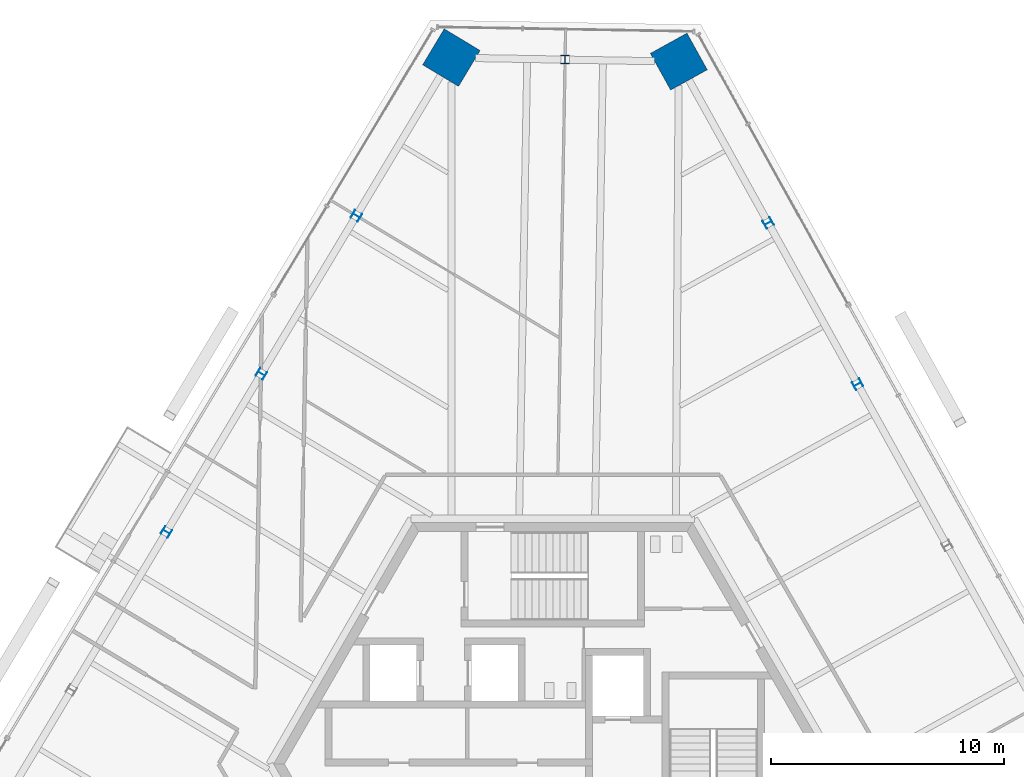
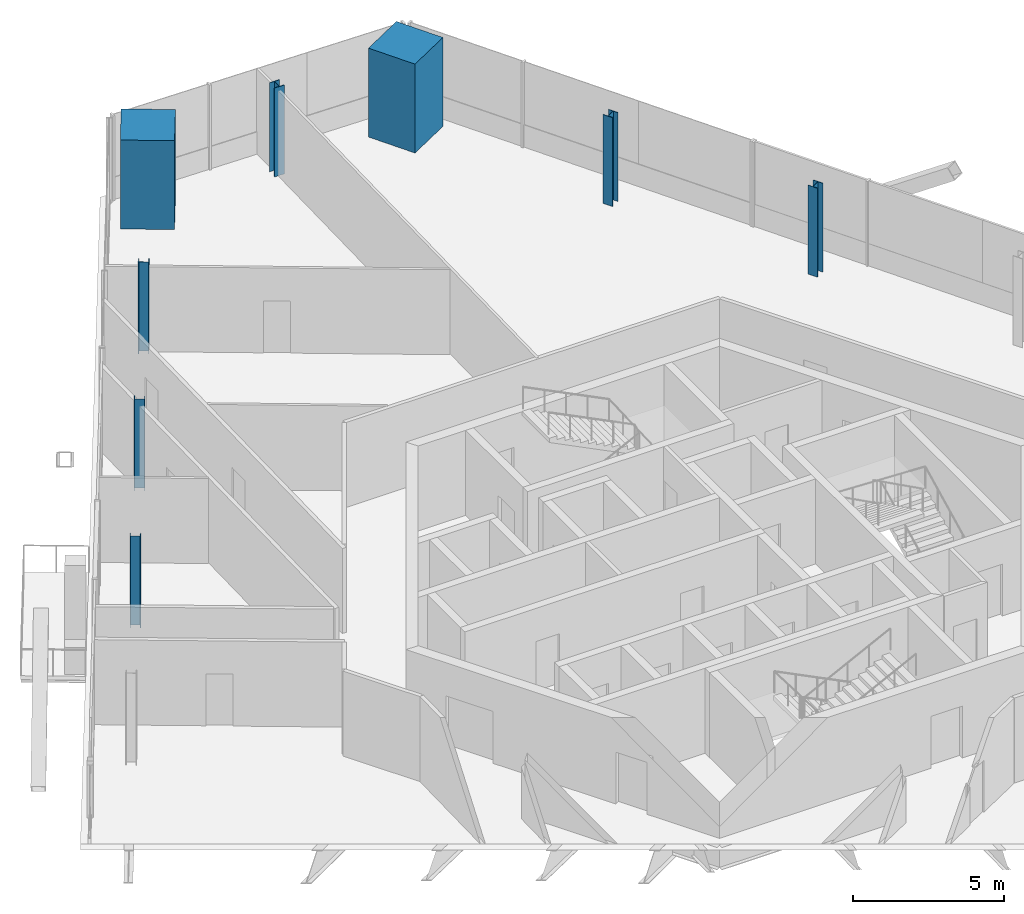
# One storey, part 3 of 18: 8 columns.
"""IFC4 building model written with IfcOpenShell, lengths in metres."""

import ifcopenshell
import ifcopenshell.guid

model = None  # the IFC model being written
_history = None  # IfcOwnerHistory: only IFC2X3 demands one
_inside = {}  # id of a spatial element -> (the spatial element, [elements in it])
_under = {}  # id of a project, library or spatial element -> (it, [spatial elements below it])
_declared = {}  # id of a project -> (the project, [libraries it declares])
_typed = {}  # id of a type object -> (the type object, [elements of that type])
_made_of = {}  # id of a material, layer set ... -> (it, [elements and type objects made of it])


def new_model(schema):
    """Start an empty IFC model of exactly this schema.

    Asked for "IFC4X3", IfcOpenShell would pick the latest addendum, in which some entities
    have other attributes; the version numbers below select the first issue.
    IFC2X3 requires an IfcOwnerHistory on every rooted entity: one is made here for all.
    """
    global model, _history
    if schema == "IFC4X3":
        model = ifcopenshell.file(schema_version=(4, 3, 0, 0))
    else:
        model = ifcopenshell.file(schema=schema)
    _inside.clear()
    _under.clear()
    _declared.clear()
    _typed.clear()
    _made_of.clear()
    _history = None
    if model.schema == "IFC2X3":
        org = make("IfcOrganization", Name="unknown")
        user = make(
            "IfcPersonAndOrganization",
            ThePerson=make("IfcPerson", FamilyName="unknown"),
            TheOrganization=org,
        )
        app = make(
            "IfcApplication",
            ApplicationDeveloper=org,
            Version="unknown",
            ApplicationFullName="unknown",
            ApplicationIdentifier="unknown",
        )
        _history = make(
            "IfcOwnerHistory",
            OwningUser=user,
            OwningApplication=app,
            ChangeAction="ADDED",
            CreationDate=0,
        )
    return model


def make(cls, **values):
    """One entity of the class cls with the attributes given. An attribute that is None is left unset."""
    return model.create_entity(
        cls, **{name: value for name, value in values.items() if value is not None}
    )


def rooted(cls, **values):
    """An entity with a GlobalId (a new one), such as an element, a storey or a relation."""
    return make(cls, GlobalId=ifcopenshell.guid.new(), OwnerHistory=_history, **values)


def si_unit(unit_type, name, prefix=None):
    """IfcSIUnit, for example si_unit("LENGTHUNIT", "METRE", prefix="MILLI")."""
    return make("IfcSIUnit", UnitType=unit_type, Prefix=prefix, Name=name)


def assignment(units):
    """IfcUnitAssignment: the units of a project."""
    return None if units is None else make("IfcUnitAssignment", Units=units)


def point(xyz):
    """IfcCartesianPoint."""
    return None if xyz is None else make("IfcCartesianPoint", Coordinates=xyz)


def direction(xyz):
    """IfcDirection."""
    return None if xyz is None else make("IfcDirection", DirectionRatios=xyz)


def frame(location, z_axis=None, x_axis=None):
    """IfcAxis2Placement3D, a coordinate frame: its origin and axes. An axis left out is left unset."""
    return make(
        "IfcAxis2Placement3D",
        Location=point(location),
        Axis=direction(z_axis),
        RefDirection=direction(x_axis),
    )


def frame_2d(location, x_axis=None):
    """IfcAxis2Placement2D, a coordinate frame in the plane: its origin and x axis."""
    return make(
        "IfcAxis2Placement2D", Location=point(location), RefDirection=direction(x_axis)
    )


def origin():
    """The frame at (0, 0, 0) with its axes left unset."""
    return frame((0.0, 0.0, 0.0))


def origin_2d():
    """The frame at (0, 0) in the plane with its x axis left unset."""
    return frame_2d((0.0, 0.0))


def place(relative_to, where):
    """IfcLocalPlacement: puts the frame where relative to a parent placement (None: the world)."""
    return make(
        "IfcLocalPlacement", PlacementRelTo=relative_to, RelativePlacement=where
    )


def context(
    kind, dimensions, precision=None, world=None, true_north=None, identifier=None
):
    """IfcGeometricRepresentationContext, for example the 3D "Model" context."""
    return make(
        "IfcGeometricRepresentationContext",
        ContextIdentifier=identifier,
        ContextType=kind,
        CoordinateSpaceDimension=dimensions,
        Precision=precision,
        WorldCoordinateSystem=world,
        TrueNorth=true_north,
    )


def subcontext(parent, identifier, kind, view, scale=None):
    """IfcGeometricRepresentationSubContext, for example "Body" below "Model"."""
    return make(
        "IfcGeometricRepresentationSubContext",
        ContextIdentifier=identifier,
        ContextType=kind,
        ParentContext=parent,
        TargetScale=scale,
        TargetView=view,
    )


def project(units=None, contexts=None):
    """IfcProject with its units and contexts."""
    return rooted(
        "IfcProject",
        Name="project",
        RepresentationContexts=contexts,
        UnitsInContext=assignment(units),
    )


def spatial(cls, under=None, at=None, **own):
    """A site, building, storey or space (cls), placed at a placement, below another one or the project."""
    s = rooted(cls, ObjectPlacement=at, **own)
    if under is not None:
        _under.setdefault(under.id(), (under, []))[1].append(s)
    return s


def profile(cls, at=None, kind="AREA", **sizes):
    """A parametric profile (cls). Its sizes go by their IFC names, for example OverallWidth=200.0."""
    return make(cls, ProfileType=kind, Position=at, **sizes)


def rectangle(**sizes):
    """IfcRectangleProfileDef."""
    return profile("IfcRectangleProfileDef", **sizes)


def i_section(**sizes):
    """IfcIShapeProfileDef."""
    return profile("IfcIShapeProfileDef", **sizes)


def extrude(swept, where, along, depth):
    """IfcExtrudedAreaSolid: the profile swept, set in the frame where, extruded along a direction by depth."""
    return make(
        "IfcExtrudedAreaSolid",
        SweptArea=swept,
        Position=where,
        ExtrudedDirection=direction(along),
        Depth=depth,
    )


def shape(context_of_items, identifier, shape_type, items):
    """IfcShapeRepresentation: the items that make up one representation, for example the "Body"."""
    return make(
        "IfcShapeRepresentation",
        ContextOfItems=context_of_items,
        RepresentationIdentifier=identifier,
        RepresentationType=shape_type,
        Items=items,
    )


def source(mapping_origin, context_of_items, identifier, shape_type, items):
    """IfcRepresentationMap: a shape defined once, which mapped items show again and again."""
    return make(
        "IfcRepresentationMap",
        MappingOrigin=mapping_origin,
        MappedRepresentation=shape(context_of_items, identifier, shape_type, items),
    )


def transform(
    local_origin,
    x_axis=None,
    y_axis=None,
    z_axis=None,
    scale=None,
    scale2=None,
    scale3=None,
    uniform=True,
):
    """IfcCartesianTransformationOperator3D, or its non-uniform kind. x_axis, y_axis, z_axis: its Axis1, 2, 3."""
    if uniform:
        return make(
            "IfcCartesianTransformationOperator3D",
            Axis1=direction(x_axis),
            Axis2=direction(y_axis),
            LocalOrigin=point(local_origin),
            Scale=scale,
            Axis3=direction(z_axis),
        )
    return make(
        "IfcCartesianTransformationOperator3DnonUniform",
        Axis1=direction(x_axis),
        Axis2=direction(y_axis),
        LocalOrigin=point(local_origin),
        Scale=scale,
        Axis3=direction(z_axis),
        Scale2=scale2,
        Scale3=scale3,
    )


def mapped(mapping_source, mapping_target):
    """IfcMappedItem: shows the shape of a source again, moved by a transform."""
    return make(
        "IfcMappedItem", MappingSource=mapping_source, MappingTarget=mapping_target
    )


def material(Name=None, Category=None):
    """IfcMaterial."""
    return make("IfcMaterial", Name=Name, Category=Category)


def material_profile(
    of_material, cross_section, Name=None, Category=None, Priority=None
):
    """IfcMaterialProfile: a cross section and its material."""
    return make(
        "IfcMaterialProfile",
        Name=Name,
        Material=of_material,
        Profile=cross_section,
        Priority=Priority,
        Category=Category,
    )


def profile_set(profiles, Name=None, composite=None):
    """IfcMaterialProfileSet."""
    return make(
        "IfcMaterialProfileSet",
        Name=Name,
        MaterialProfiles=profiles,
        CompositeProfile=composite,
    )


def made_of(thing, what):
    """Note that an element or type object is made of a material, layer set ...; save() writes the relation."""
    if what is not None:
        _made_of.setdefault(what.id(), (what, []))[1].append(thing)
    return thing


def type_object(cls, material=None, **own):
    """A type object (cls), such as IfcWallType, which elements share."""
    return made_of(rooted(cls, **own), material)


def element(
    cls,
    number,
    at=None,
    inside=None,
    cuts=None,
    type_object=None,
    material=None,
    context=None,
    identifier="Body",
    shape_type=None,
    held_by="IfcProductDefinitionShape",
    body=None,
    shapes=None,
    **own,
):
    """One element of the class cls, such as IfcWall. Its Tag is "e" and its number.

    at: its placement. inside: the storey or other place that contains it. cuts: it is an
    opening in that element (IfcRelVoidsElement). A single representation is given by context,
    identifier, shape_type and body (its items); several are given by shapes. held_by: the class
    of the entity that holds the representations. save() writes the other relations.
    """
    e = rooted(cls, Tag="e%d" % number, ObjectPlacement=at, **own)
    if body is not None:
        shapes = [shape(context, identifier, shape_type, body)]
    if shapes is not None:
        e.Representation = make(held_by, Representations=shapes)
    if inside is not None:
        _inside.setdefault(inside.id(), (inside, []))[1].append(e)
    if cuts is not None:
        rooted(
            "IfcRelVoidsElement", RelatingBuildingElement=cuts, RelatedOpeningElement=e
        )
    if type_object is not None:
        _typed.setdefault(type_object.id(), (type_object, []))[1].append(e)
    return made_of(e, material)


def aggregate(whole, parts):
    """IfcRelAggregates: a whole, such as a stair, and the parts it consists of."""
    return rooted("IfcRelAggregates", RelatingObject=whole, RelatedObjects=parts)


def save(model, path):
    """Write the relations noted so far, then the file.

    IfcRelAggregates (storeys below a building ...), IfcRelContainedInSpatialStructure (elements
    in a storey), IfcRelDefinesByType, IfcRelAssociatesMaterial and IfcRelDeclares: one each for
    every whole, place, type object, material and project.
    """
    for whole, parts in _under.values():
        aggregate(whole, parts)
    for where, things in _inside.values():
        rooted(
            "IfcRelContainedInSpatialStructure",
            RelatedElements=things,
            RelatingStructure=where,
        )
    for kind, things in _typed.values():
        rooted("IfcRelDefinesByType", RelatedObjects=things, RelatingType=kind)
    for what, things in _made_of.values():
        rooted("IfcRelAssociatesMaterial", RelatedObjects=things, RelatingMaterial=what)
    for by, libraries in _declared.values():
        rooted("IfcRelDeclares", RelatingContext=by, RelatedDefinitions=libraries)
    model.write(path)


model = new_model("IFC4")

# Units and contexts
model_context = context("Model", 3, precision=1e-05, world=origin(), true_north=direction((0.0, 1.0)))
body_context = subcontext(model_context, "Body", "Model", "MODEL_VIEW")
ifc_project = project(units=[si_unit("LENGTHUNIT", "METRE"), si_unit("AREAUNIT", "SQUARE_METRE"), si_unit("VOLUMEUNIT", "CUBIC_METRE"), si_unit("PLANEANGLEUNIT", "RADIAN"), si_unit("MASSUNIT", "GRAM", prefix="KILO")], contexts=[model_context])

# Site, building, storey
site_placement = place(None, origin())
site = spatial("IfcSite", under=ifc_project, at=site_placement, CompositionType="ELEMENT")
building_placement = place(site_placement, origin())
building = spatial("IfcBuilding", under=site, at=building_placement, Name="Triune Harvest Tower", CompositionType="ELEMENT")
storey_placement = place(building_placement, frame((0.0, 0.0, 190.699951171875)))
storey = spatial("IfcBuildingStorey", under=building, at=storey_placement, Name="L49", CompositionType="ELEMENT", Elevation=190.699951171875)

# Columns
ifc_material_1 = material(Name="Concrete 70 MPa", Category="concrete")
ifc_material_profile_1 = material_profile(ifc_material_1, rectangle(XDim=1.800048828125, YDim=1.800048828125, at=origin_2d()), Name="Composite 1800x1800")
ifc_profile_set_1 = profile_set([ifc_material_profile_1], Name="Concrete 70 MPa")
column_type_1 = type_object("IfcColumnType", Name="MC-5 Mega column Composite 1800x1800", PredefinedType="COLUMN", material=ifc_profile_set_1)
shared_shape_1 = source(origin(), body_context, "Body", "SweptSolid", [
    extrude(rectangle(XDim=1.800048828125, YDim=1.800048828125, at=origin_2d()), origin(), (0.0, 0.0, 1.0), 3.60009765625),
])
for number, where, z_axis, x_axis, name in (
    (1, (5.416015625, 30.193115234375, 0.0), (0.0, 0.0, 1.0), (-0.484809620246, 0.874619707139, 0.0), "col/L49/M6"),
    (2, (-4.359130859375, 30.36376953125, 0.0), (0.0, 0.0, 1.0), (-0.51503657887, -0.857168199612, 0.0), "col/L49/M8"),
):
    element("IfcColumn", number, at=place(storey_placement, frame(where, z_axis=z_axis, x_axis=x_axis)), inside=storey, type_object=column_type_1, Name=name, PredefinedType="COLUMN", context=body_context, shape_type="MappedRepresentation", body=[
        mapped(shared_shape_1, transform((0.0, 0.0, 0.0), scale=1.0)),
    ])
ifc_material_2 = material(Name="Steel ASTM A992 Gr 50", Category="steel")
ifc_material_profile_2 = material_profile(ifc_material_2, i_section(OverallWidth=0.370849609375, OverallDepth=0.36328125, WebThickness=0.013427734375, FlangeThickness=0.021728515625, at=origin_2d()), Name="W14x109")
ifc_profile_set_2 = profile_set([ifc_material_profile_2], Name="Steel ASTM A992 Gr 50")
column_type_2 = type_object("IfcColumnType", Name="PC-5 Perimeter column W14x109", PredefinedType="COLUMN", material=ifc_profile_set_2)
shared_shape_2 = source(origin(), body_context, "Body", "SweptSolid", [
    extrude(i_section(OverallWidth=0.370849609375, OverallDepth=0.36328125, WebThickness=0.013427734375, FlangeThickness=0.021728515625, at=origin_2d()), origin(), (0.0, 0.0, 1.0), 3.60009765625),
])
for number, where, z_axis, x_axis, name in (
    (3, (13.1025390625, 16.326416015625, 0.0), (0.0, 0.0, 1.0), (-0.484809620246, 0.874619707139, 0.0), "col/L49/P4"),
    (4, (9.25927734375, 23.259765625, 0.0), (0.0, 0.0, 1.0), (-0.484809620246, 0.874619707139, 0.0), "col/L49/P5"),
    (5, (0.528564453125, 30.2783203125, 0.0), (0.0, 0.0, 1.0), (-0.999847725615, 0.017450661374, 0.0), "col/L49/P7"),
    (6, (-8.44189453125, 23.568603515625, 0.0), (0.0, 0.0, 1.0), (-0.51503657887, -0.857168199612, 0.0), "col/L49/P9"),
    (7, (-12.524658203125, 16.773681640625, 0.0), (0.0, 0.0, 1.0), (-0.51503657887, -0.857168199612, 0.0), "col/L49/P10"),
    (8, (-16.607421875, 9.978759765625, 0.0), (0.0, 0.0, 1.0), (-0.51503657887, -0.857168199612, 0.0), "col/L49/P11"),
):
    element("IfcColumn", number, at=place(storey_placement, frame(where, z_axis=z_axis, x_axis=x_axis)), inside=storey, type_object=column_type_2, Name=name, PredefinedType="COLUMN", context=body_context, shape_type="MappedRepresentation", body=[
        mapped(shared_shape_2, transform((0.0, 0.0, 0.0), scale=1.0)),
    ])

save(model, "model.ifc")
